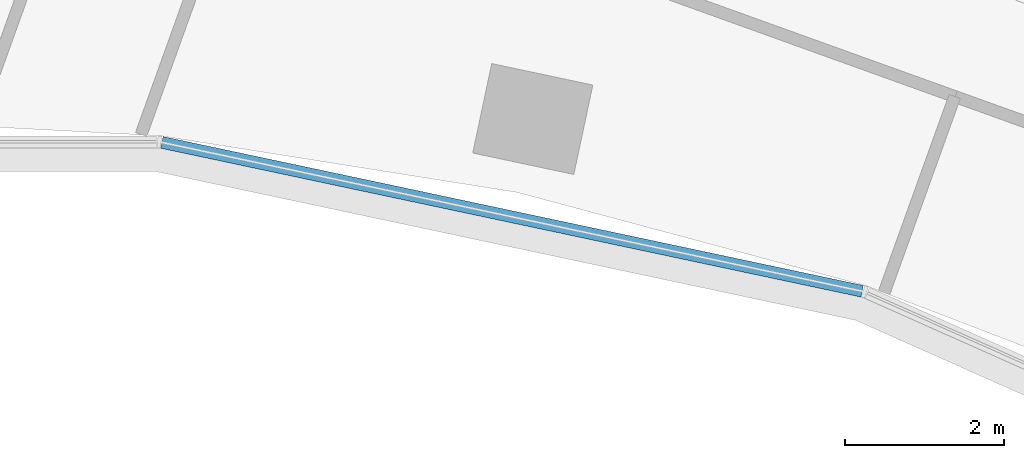
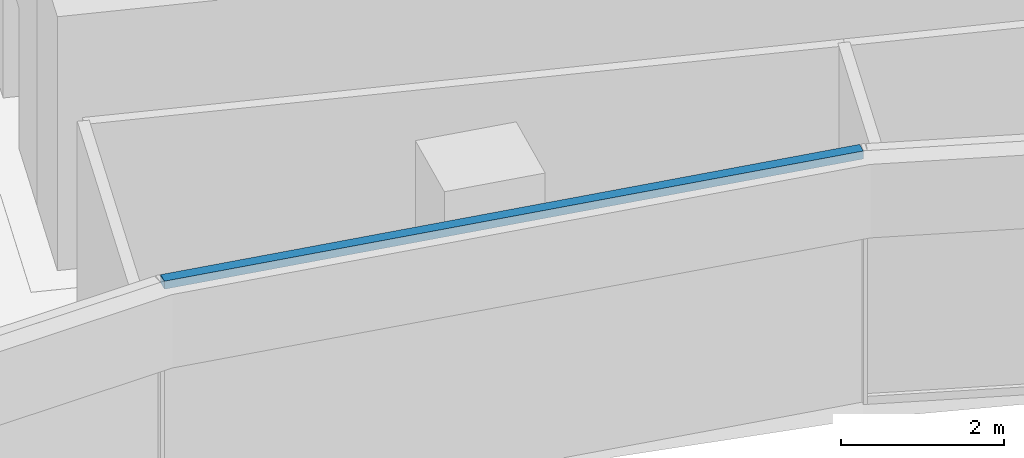
# One storey, part 6 of 23: 1 member, 1 element without a shape of its own.
"""IFC4 building model written with IfcOpenShell, lengths in metres."""

from ifc_helpers import new_model, si_unit, direction, frame, origin, origin_2d, place, context, subcontext, project, spatial, rectangle, extrude, material, layer, layer_set, material_profile, profile_set, type_object, element, aggregate, save


model = new_model("IFC4")

# Units and contexts
model_context = context("Model", 3, precision=1e-05, world=origin(), true_north=direction((0.0, 1.0)))
body_context = subcontext(model_context, "Body", "Model", "MODEL_VIEW")
ifc_project = project(units=[si_unit("LENGTHUNIT", "METRE"), si_unit("AREAUNIT", "SQUARE_METRE"), si_unit("VOLUMEUNIT", "CUBIC_METRE"), si_unit("PLANEANGLEUNIT", "RADIAN"), si_unit("MASSUNIT", "GRAM", prefix="KILO")], contexts=[model_context])

# Site, building, storey
site_placement = place(None, origin())
site = spatial("IfcSite", under=ifc_project, at=site_placement, CompositionType="ELEMENT")
building_placement = place(site_placement, origin())
building = spatial("IfcBuilding", under=site, at=building_placement, Name="Stone Belt Terrace Tower", CompositionType="ELEMENT")
storey_placement = place(building_placement, frame((0.0, 0.0, 98.39990234375)))
storey = spatial("IfcBuildingStorey", under=building, at=storey_placement, Name="L23", CompositionType="ELEMENT", Elevation=98.39990234375)

# Curtain wall, member
ifc_material = material(Name="Aluminium 6063-T6 anodised frame", Category="aluminium")
ifc_layer = layer(ifc_material, 0.14990234375)
ifc_layer_set = layer_set([ifc_layer], Name="CW-B unitised concave-face curtain wall")
curtain_wall_type = type_object("IfcCurtainWallType", Name="CW-B unitised concave-face curtain wall", PredefinedType="NOTDEFINED", material=ifc_layer_set)
curtain_wall_placement = place(storey_placement, origin())
curtain_wall = element("IfcCurtainWall", 1, at=curtain_wall_placement, inside=storey, type_object=curtain_wall_type, Name="CW-B concave face L23", PredefinedType="NOTDEFINED")
ifc_material_profile = material_profile(ifc_material, rectangle(XDim=0.14990234375, YDim=0.1201171875, at=origin_2d()), Name="Aluminium 6063-T6 150x120")
ifc_profile_set = profile_set([ifc_material_profile], Name="Aluminium 6063-T6 anodised frame")
member_type = type_object("IfcMemberType", Name="CW-B transom 120 x 150", PredefinedType="USERDEFINED", material=ifc_profile_set)
member_placement = place(storey_placement, frame((4.571044921875, 43.179931640625, 3.739990234375), z_axis=(0.9781499003, -0.207900871914, 0.0), x_axis=(0.207900871914, 0.9781499003, 0.0)))
member = element("IfcMember", 2, at=member_placement, type_object=member_type, Name="CW-B transom 6.1", ObjectType="TRANSOM", PredefinedType="USERDEFINED", context=body_context, shape_type="SweptSolid", body=[
    extrude(rectangle(XDim=0.14990234375, YDim=0.1201171875, at=origin_2d()), origin(), (0.0, 0.0, 1.0), 9.012939453125),
])
aggregate(curtain_wall, [member])

save(model, "model.ifc")
